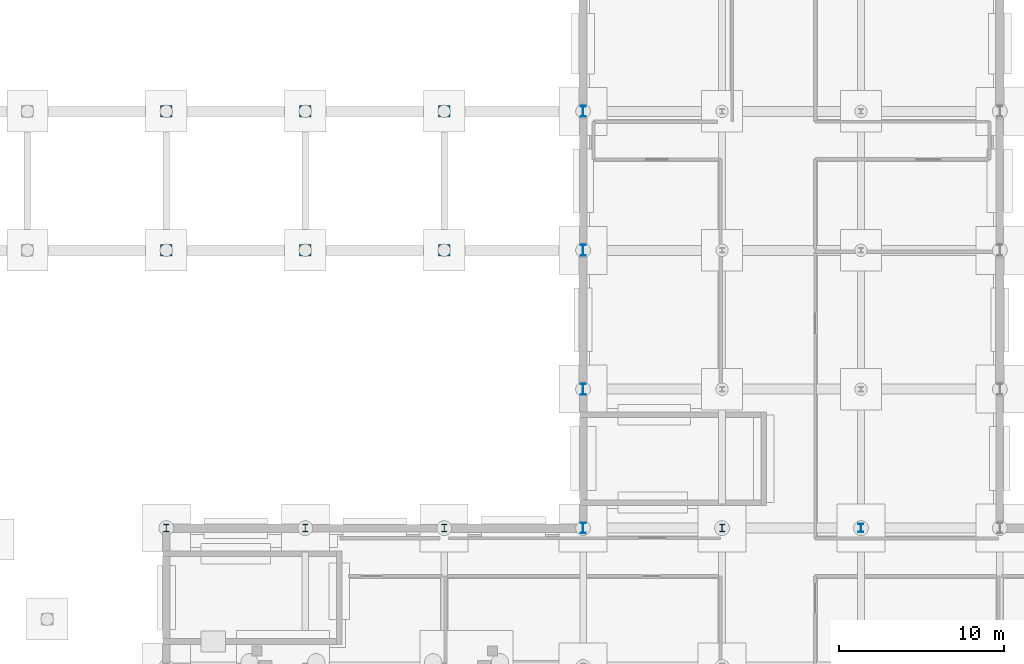
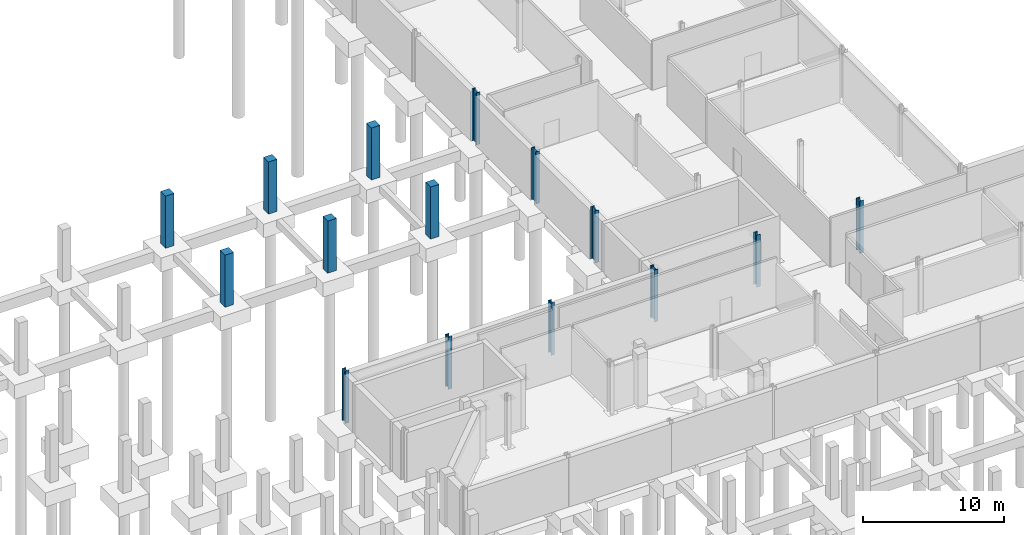
# One storey, part 11 of 43: 15 columns.
"""IFC4 building model written with IfcOpenShell, lengths in metres."""

import ifcopenshell
import ifcopenshell.guid

model = None  # the IFC model being written
_history = None  # IfcOwnerHistory: only IFC2X3 demands one
_inside = {}  # id of a spatial element -> (the spatial element, [elements in it])
_under = {}  # id of a project, library or spatial element -> (it, [spatial elements below it])
_declared = {}  # id of a project -> (the project, [libraries it declares])
_typed = {}  # id of a type object -> (the type object, [elements of that type])
_made_of = {}  # id of a material, layer set ... -> (it, [elements and type objects made of it])


def new_model(schema):
    """Start an empty IFC model of exactly this schema.

    Asked for "IFC4X3", IfcOpenShell would pick the latest addendum, in which some entities
    have other attributes; the version numbers below select the first issue.
    IFC2X3 requires an IfcOwnerHistory on every rooted entity: one is made here for all.
    """
    global model, _history
    if schema == "IFC4X3":
        model = ifcopenshell.file(schema_version=(4, 3, 0, 0))
    else:
        model = ifcopenshell.file(schema=schema)
    _inside.clear()
    _under.clear()
    _declared.clear()
    _typed.clear()
    _made_of.clear()
    _history = None
    if model.schema == "IFC2X3":
        org = make("IfcOrganization", Name="unknown")
        user = make(
            "IfcPersonAndOrganization",
            ThePerson=make("IfcPerson", FamilyName="unknown"),
            TheOrganization=org,
        )
        app = make(
            "IfcApplication",
            ApplicationDeveloper=org,
            Version="unknown",
            ApplicationFullName="unknown",
            ApplicationIdentifier="unknown",
        )
        _history = make(
            "IfcOwnerHistory",
            OwningUser=user,
            OwningApplication=app,
            ChangeAction="ADDED",
            CreationDate=0,
        )
    return model


def make(cls, **values):
    """One entity of the class cls with the attributes given. An attribute that is None is left unset."""
    return model.create_entity(
        cls, **{name: value for name, value in values.items() if value is not None}
    )


def rooted(cls, **values):
    """An entity with a GlobalId (a new one), such as an element, a storey or a relation."""
    return make(cls, GlobalId=ifcopenshell.guid.new(), OwnerHistory=_history, **values)


def si_unit(unit_type, name, prefix=None):
    """IfcSIUnit, for example si_unit("LENGTHUNIT", "METRE", prefix="MILLI")."""
    return make("IfcSIUnit", UnitType=unit_type, Prefix=prefix, Name=name)


def assignment(units):
    """IfcUnitAssignment: the units of a project."""
    return None if units is None else make("IfcUnitAssignment", Units=units)


def point(xyz):
    """IfcCartesianPoint."""
    return None if xyz is None else make("IfcCartesianPoint", Coordinates=xyz)


def direction(xyz):
    """IfcDirection."""
    return None if xyz is None else make("IfcDirection", DirectionRatios=xyz)


def frame(location, z_axis=None, x_axis=None):
    """IfcAxis2Placement3D, a coordinate frame: its origin and axes. An axis left out is left unset."""
    return make(
        "IfcAxis2Placement3D",
        Location=point(location),
        Axis=direction(z_axis),
        RefDirection=direction(x_axis),
    )


def frame_2d(location, x_axis=None):
    """IfcAxis2Placement2D, a coordinate frame in the plane: its origin and x axis."""
    return make(
        "IfcAxis2Placement2D", Location=point(location), RefDirection=direction(x_axis)
    )


def origin():
    """The frame at (0, 0, 0) with its axes left unset."""
    return frame((0.0, 0.0, 0.0))


def origin_2d():
    """The frame at (0, 0) in the plane with its x axis left unset."""
    return frame_2d((0.0, 0.0))


def place(relative_to, where):
    """IfcLocalPlacement: puts the frame where relative to a parent placement (None: the world)."""
    return make(
        "IfcLocalPlacement", PlacementRelTo=relative_to, RelativePlacement=where
    )


def context(
    kind, dimensions, precision=None, world=None, true_north=None, identifier=None
):
    """IfcGeometricRepresentationContext, for example the 3D "Model" context."""
    return make(
        "IfcGeometricRepresentationContext",
        ContextIdentifier=identifier,
        ContextType=kind,
        CoordinateSpaceDimension=dimensions,
        Precision=precision,
        WorldCoordinateSystem=world,
        TrueNorth=true_north,
    )


def subcontext(parent, identifier, kind, view, scale=None):
    """IfcGeometricRepresentationSubContext, for example "Body" below "Model"."""
    return make(
        "IfcGeometricRepresentationSubContext",
        ContextIdentifier=identifier,
        ContextType=kind,
        ParentContext=parent,
        TargetScale=scale,
        TargetView=view,
    )


def project(units=None, contexts=None):
    """IfcProject with its units and contexts."""
    return rooted(
        "IfcProject",
        Name="project",
        RepresentationContexts=contexts,
        UnitsInContext=assignment(units),
    )


def spatial(cls, under=None, at=None, **own):
    """A site, building, storey or space (cls), placed at a placement, below another one or the project."""
    s = rooted(cls, ObjectPlacement=at, **own)
    if under is not None:
        _under.setdefault(under.id(), (under, []))[1].append(s)
    return s


def profile(cls, at=None, kind="AREA", **sizes):
    """A parametric profile (cls). Its sizes go by their IFC names, for example OverallWidth=200.0."""
    return make(cls, ProfileType=kind, Position=at, **sizes)


def rectangle(**sizes):
    """IfcRectangleProfileDef."""
    return profile("IfcRectangleProfileDef", **sizes)


def i_section(**sizes):
    """IfcIShapeProfileDef."""
    return profile("IfcIShapeProfileDef", **sizes)


def extrude(swept, where, along, depth):
    """IfcExtrudedAreaSolid: the profile swept, set in the frame where, extruded along a direction by depth."""
    return make(
        "IfcExtrudedAreaSolid",
        SweptArea=swept,
        Position=where,
        ExtrudedDirection=direction(along),
        Depth=depth,
    )


def shape(context_of_items, identifier, shape_type, items):
    """IfcShapeRepresentation: the items that make up one representation, for example the "Body"."""
    return make(
        "IfcShapeRepresentation",
        ContextOfItems=context_of_items,
        RepresentationIdentifier=identifier,
        RepresentationType=shape_type,
        Items=items,
    )


def material(Name=None, Category=None):
    """IfcMaterial."""
    return make("IfcMaterial", Name=Name, Category=Category)


def material_profile(
    of_material, cross_section, Name=None, Category=None, Priority=None
):
    """IfcMaterialProfile: a cross section and its material."""
    return make(
        "IfcMaterialProfile",
        Name=Name,
        Material=of_material,
        Profile=cross_section,
        Priority=Priority,
        Category=Category,
    )


def profile_set(profiles, Name=None, composite=None):
    """IfcMaterialProfileSet."""
    return make(
        "IfcMaterialProfileSet",
        Name=Name,
        MaterialProfiles=profiles,
        CompositeProfile=composite,
    )


def made_of(thing, what):
    """Note that an element or type object is made of a material, layer set ...; save() writes the relation."""
    if what is not None:
        _made_of.setdefault(what.id(), (what, []))[1].append(thing)
    return thing


def type_object(cls, material=None, **own):
    """A type object (cls), such as IfcWallType, which elements share."""
    return made_of(rooted(cls, **own), material)


def element(
    cls,
    number,
    at=None,
    inside=None,
    cuts=None,
    type_object=None,
    material=None,
    context=None,
    identifier="Body",
    shape_type=None,
    held_by="IfcProductDefinitionShape",
    body=None,
    shapes=None,
    **own,
):
    """One element of the class cls, such as IfcWall. Its Tag is "e" and its number.

    at: its placement. inside: the storey or other place that contains it. cuts: it is an
    opening in that element (IfcRelVoidsElement). A single representation is given by context,
    identifier, shape_type and body (its items); several are given by shapes. held_by: the class
    of the entity that holds the representations. save() writes the other relations.
    """
    e = rooted(cls, Tag="e%d" % number, ObjectPlacement=at, **own)
    if body is not None:
        shapes = [shape(context, identifier, shape_type, body)]
    if shapes is not None:
        e.Representation = make(held_by, Representations=shapes)
    if inside is not None:
        _inside.setdefault(inside.id(), (inside, []))[1].append(e)
    if cuts is not None:
        rooted(
            "IfcRelVoidsElement", RelatingBuildingElement=cuts, RelatedOpeningElement=e
        )
    if type_object is not None:
        _typed.setdefault(type_object.id(), (type_object, []))[1].append(e)
    return made_of(e, material)


def aggregate(whole, parts):
    """IfcRelAggregates: a whole, such as a stair, and the parts it consists of."""
    return rooted("IfcRelAggregates", RelatingObject=whole, RelatedObjects=parts)


def save(model, path):
    """Write the relations noted so far, then the file.

    IfcRelAggregates (storeys below a building ...), IfcRelContainedInSpatialStructure (elements
    in a storey), IfcRelDefinesByType, IfcRelAssociatesMaterial and IfcRelDeclares: one each for
    every whole, place, type object, material and project.
    """
    for whole, parts in _under.values():
        aggregate(whole, parts)
    for where, things in _inside.values():
        rooted(
            "IfcRelContainedInSpatialStructure",
            RelatedElements=things,
            RelatingStructure=where,
        )
    for kind, things in _typed.values():
        rooted("IfcRelDefinesByType", RelatedObjects=things, RelatingType=kind)
    for what, things in _made_of.values():
        rooted("IfcRelAssociatesMaterial", RelatedObjects=things, RelatingMaterial=what)
    for by, libraries in _declared.values():
        rooted("IfcRelDeclares", RelatingContext=by, RelatedDefinitions=libraries)
    model.write(path)


model = new_model("IFC4")

# Units and contexts
model_context = context("Model", 3, precision=1e-05, world=origin(), true_north=direction((0.0, 1.0)))
body_context = subcontext(model_context, "Body", "Model", "MODEL_VIEW")
ifc_project = project(units=[si_unit("LENGTHUNIT", "METRE"), si_unit("AREAUNIT", "SQUARE_METRE"), si_unit("VOLUMEUNIT", "CUBIC_METRE"), si_unit("PLANEANGLEUNIT", "RADIAN"), si_unit("MASSUNIT", "GRAM", prefix="KILO")], contexts=[model_context])

# Site, building, storey
site_placement = place(None, origin())
site = spatial("IfcSite", under=ifc_project, at=site_placement, CompositionType="ELEMENT")
building_placement = place(site_placement, origin())
building = spatial("IfcBuilding", under=site, at=building_placement, Name="Mersafa Astral City Hall", CompositionType="ELEMENT")
storey_placement = place(building_placement, frame((0.0, 0.0, -4.5)))
storey = spatial("IfcBuildingStorey", under=building, at=storey_placement, Name="B1", CompositionType="ELEMENT", Elevation=-4.5)

# Columns
ifc_material_1 = material(Name="Steel S355", Category="steel")
ifc_material_profile_1 = material_profile(ifc_material_1, i_section(OverallWidth=0.300048828125, OverallDepth=0.449951171875, WebThickness=0.013916015625, FlangeThickness=0.02587890625, FilletRadius=0.027099609375, at=origin_2d()), Name="HEB 450")
ifc_profile_set_1 = profile_set([ifc_material_profile_1], Name="Steel S355")
column_type_1 = type_object("IfcColumnType", Name="STR-COL-HEB450", PredefinedType="COLUMN", material=ifc_profile_set_1)
for number, where, z_axis, x_axis, name in (
    (1, (67.199951171875, 33.60009765625, 0.0), (0.0, 0.0, 1.0), (1.0, 0.0, 0.0), "B1 Structural column G-08-04"),
    (2, (75.60009765625, 33.60009765625, 0.0), (0.0, 0.0, 1.0), (1.0, 0.0, 0.0), "B1 Structural column G-09-04"),
    (3, (84.0, 33.60009765625, 0.0), (0.0, 0.0, 1.0), (1.0, 0.0, 0.0), "B1 Structural column G-10-04"),
    (4, (100.800048828125, 33.60009765625, 0.0), (0.0, 0.0, 1.0), (1.0, 0.0, 0.0), "B1 Structural column G-12-04"),
):
    element("IfcColumn", number, at=place(storey_placement, frame(where, z_axis=z_axis, x_axis=x_axis)), inside=storey, type_object=column_type_1, Name=name, PredefinedType="COLUMN", context=body_context, shape_type="SweptSolid", body=[
        extrude(i_section(OverallWidth=0.300048828125, OverallDepth=0.449951171875, WebThickness=0.013916015625, FlangeThickness=0.02587890625, FilletRadius=0.027099609375, at=origin_2d()), origin(), (0.0, 0.0, 1.0), 4.5),
    ])
ifc_material_profile_2 = material_profile(ifc_material_1, i_section(OverallWidth=0.300048828125, OverallDepth=0.5, WebThickness=0.014404296875, FlangeThickness=0.028076171875, FilletRadius=0.027099609375, at=origin_2d()), Name="HEB 500")
ifc_profile_set_2 = profile_set([ifc_material_profile_2], Name="Steel S355")
column_type_2 = type_object("IfcColumnType", Name="STR-COL-HEB500", PredefinedType="COLUMN", material=ifc_profile_set_2)
column_placement = place(storey_placement, frame((109.199951171875, 33.60009765625, 0.0), z_axis=(0.0, 0.0, 1.0), x_axis=(1.0, 0.0, 0.0)))
element("IfcColumn", 5, at=column_placement, inside=storey, type_object=column_type_2, Name="B1 Structural column G-13-04", PredefinedType="COLUMN", context=body_context, shape_type="SweptSolid", body=[
    extrude(i_section(OverallWidth=0.300048828125, OverallDepth=0.5, WebThickness=0.014404296875, FlangeThickness=0.028076171875, FilletRadius=0.027099609375, at=origin_2d()), origin(), (0.0, 0.0, 1.0), 4.5),
])
ifc_material_profile_3 = material_profile(ifc_material_1, i_section(OverallWidth=0.300048828125, OverallDepth=0.64990234375, WebThickness=0.01611328125, FlangeThickness=0.031005859375, FilletRadius=0.027099609375, at=origin_2d()), Name="HEB 650")
ifc_profile_set_3 = profile_set([ifc_material_profile_3], Name="Steel S355")
column_type_3 = type_object("IfcColumnType", Name="STR-COL-HEB650", PredefinedType="COLUMN", material=ifc_profile_set_3)
for number, where, z_axis, x_axis, name in (
    (6, (92.39990234375, 33.60009765625, 0.0), (0.0, 0.0, 1.0), (1.0, 0.0, 0.0), "B1 Structural column G-11-04"),
    (7, (92.39990234375, 42.0, 0.0), (0.0, 0.0, 1.0), (1.0, 0.0, 0.0), "B1 Structural column G-11-05"),
    (8, (92.39990234375, 50.39990234375, 0.0), (0.0, 0.0, 1.0), (1.0, 0.0, 0.0), "B1 Structural column G-11-06"),
    (9, (92.39990234375, 58.800048828125, 0.0), (0.0, 0.0, 1.0), (1.0, 0.0, 0.0), "B1 Structural column G-11-07"),
):
    element("IfcColumn", number, at=place(storey_placement, frame(where, z_axis=z_axis, x_axis=x_axis)), inside=storey, type_object=column_type_3, Name=name, PredefinedType="COLUMN", context=body_context, shape_type="SweptSolid", body=[
        extrude(i_section(OverallWidth=0.300048828125, OverallDepth=0.64990234375, WebThickness=0.01611328125, FlangeThickness=0.031005859375, FilletRadius=0.027099609375, at=origin_2d()), origin(), (0.0, 0.0, 1.0), 4.5),
    ])
ifc_material_2 = material(Name="Concrete C40/50", Category="concrete")
ifc_material_profile_4 = material_profile(ifc_material_2, rectangle(XDim=0.699951171875, YDim=0.699951171875, at=origin_2d()), Name="RC 700x700")
ifc_profile_set_4 = profile_set([ifc_material_profile_4], Name="Concrete C40/50")
column_type_4 = type_object("IfcColumnType", Name="STR-COL-RC700", PredefinedType="COLUMN", material=ifc_profile_set_4)
for number, where, z_axis, x_axis, name in (
    (10, (67.199951171875, 50.39990234375, 0.0), (0.0, 0.0, 1.0), (1.0, 0.0, 0.0), "B1 Structural column G-08-06"),
    (11, (67.199951171875, 58.800048828125, 0.0), (0.0, 0.0, 1.0), (1.0, 0.0, 0.0), "B1 Structural column G-08-07"),
    (12, (75.60009765625, 50.39990234375, 0.0), (0.0, 0.0, 1.0), (1.0, 0.0, 0.0), "B1 Structural column G-09-06"),
    (13, (75.60009765625, 58.800048828125, 0.0), (0.0, 0.0, 1.0), (1.0, 0.0, 0.0), "B1 Structural column G-09-07"),
    (14, (84.0, 50.39990234375, 0.0), (0.0, 0.0, 1.0), (1.0, 0.0, 0.0), "B1 Structural column G-10-06"),
    (15, (84.0, 58.800048828125, 0.0), (0.0, 0.0, 1.0), (1.0, 0.0, 0.0), "B1 Structural column G-10-07"),
):
    element("IfcColumn", number, at=place(storey_placement, frame(where, z_axis=z_axis, x_axis=x_axis)), inside=storey, type_object=column_type_4, Name=name, PredefinedType="COLUMN", context=body_context, shape_type="SweptSolid", body=[
        extrude(rectangle(XDim=0.699951171875, YDim=0.699951171875, at=origin_2d()), origin(), (0.0, 0.0, 1.0), 4.5),
    ])

save(model, "model.ifc")
